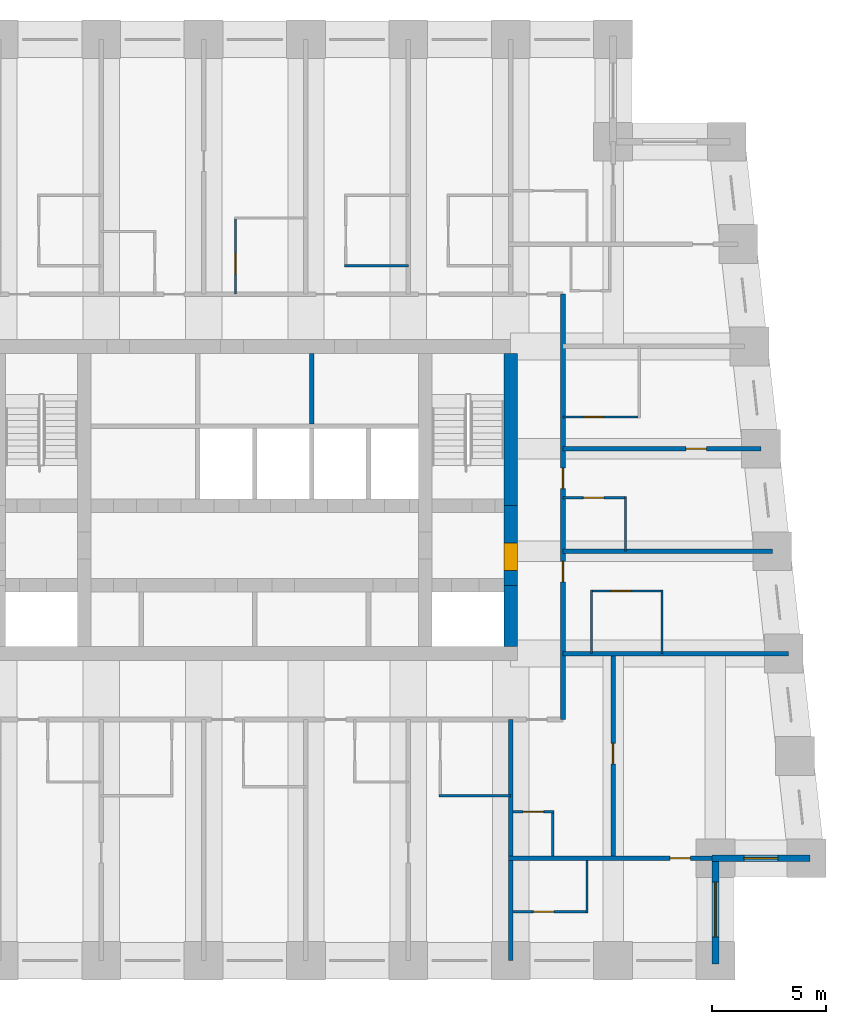
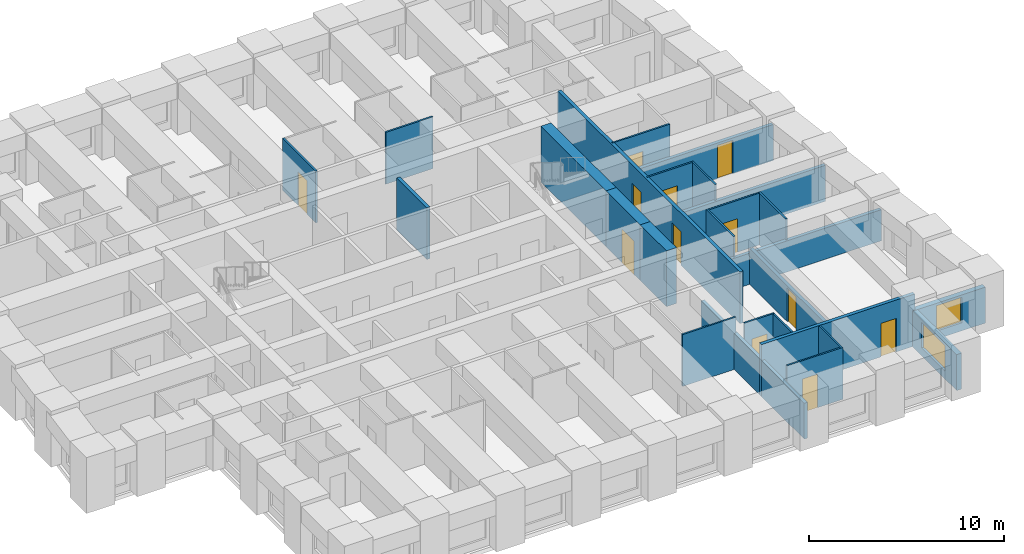
# One storey, part 5 of 8: 26 walls, 12 doors, 2 windows, 14 openings.
"""IFC4 building model written with IfcOpenShell, lengths in metres."""

from ifc_helpers import new_model, si_unit, direction, frame, frame_2d, origin, place, context, subcontext, project, spatial, rectangle, extrude, material, layer, layer_set, type_object, element, fill, save


model = new_model("IFC4")

# Units and contexts
model_context = context("Model", 3, precision=1e-05, world=origin(), true_north=direction((0.0, 1.0)))
body_context = subcontext(model_context, "Body", "Model", "MODEL_VIEW")
ifc_project = project(units=[si_unit("LENGTHUNIT", "METRE"), si_unit("AREAUNIT", "SQUARE_METRE"), si_unit("VOLUMEUNIT", "CUBIC_METRE"), si_unit("PLANEANGLEUNIT", "RADIAN"), si_unit("MASSUNIT", "GRAM", prefix="KILO")], contexts=[model_context])

# Site, building, storey
site_placement = place(None, origin())
site = spatial("IfcSite", under=ifc_project, at=site_placement, CompositionType="ELEMENT")
building_placement = place(site_placement, origin())
building = spatial("IfcBuilding", under=site, at=building_placement, Name="Kilele Tower Hotel", CompositionType="ELEMENT")
storey_placement = place(building_placement, frame((0.0, 0.0, 169.39990234375)))
storey = spatial("IfcBuildingStorey", under=building, at=storey_placement, Name="L43", CompositionType="ELEMENT", Elevation=169.39990234375)

# Walls
ifc_material_1 = material(Name="Moisture-resistant board")
ifc_layer_1 = layer(ifc_material_1, 0.10009765625)
ifc_layer_set_1 = layer_set([ifc_layer_1], Name="Moisture-resistant board")
wall_type_1 = type_object("IfcWallType", Name="Bathroom partition 100", PredefinedType="PLUMBINGWALL", material=ifc_layer_set_1)
wall_1_placement = place(storey_placement, frame((32.85009765625, 7.25, 0.0), z_axis=(0.0, 0.0, 1.0), x_axis=(1.0, 0.0, 0.0)))
element("IfcWall", 1, at=wall_1_placement, inside=storey, type_object=wall_type_1, Name="Bathroom partition 100 L43", PredefinedType="PLUMBINGWALL", context=body_context, shape_type="SweptSolid", body=[
    extrude(rectangle(XDim=3.14990234375, YDim=0.10009765625, at=frame_2d((1.574951171875, 0.0))), origin(), (0.0, 0.0, 1.0), 3.25),
])
for number, where, z_axis, x_axis, name in (
    (2, (39.550048828125, 13.5, 0.0), (0.0, 0.0, 1.0), (0.0, 1.0, 0.0), "Bathroom partition 100 L43"),
    (3, (42.64990234375, 13.5, 0.0), (0.0, 0.0, 1.0), (0.0, 1.0, 0.0), "Bathroom partition 100 L43"),
):
    element("IfcWall", number, at=place(storey_placement, frame(where, z_axis=z_axis, x_axis=x_axis)), inside=storey, type_object=wall_type_1, Name=name, PredefinedType="PLUMBINGWALL", context=body_context, shape_type="SweptSolid", body=[
        extrude(rectangle(XDim=2.800048828125, YDim=0.10009765625, at=frame_2d((1.39990234375, 0.0))), origin(), (0.0, 0.0, 1.0), 3.25),
    ])

# Wall, opening, door
wall_2_placement = place(storey_placement, frame((39.5, 16.25, 0.0), z_axis=(0.0, 0.0, 1.0), x_axis=(1.0, 0.0, 0.0)))
wall_2 = element("IfcWall", 4, at=wall_2_placement, inside=storey, type_object=wall_type_1, Name="Bathroom partition 100 L43", PredefinedType="PLUMBINGWALL", context=body_context, shape_type="SweptSolid", body=[
    extrude(rectangle(XDim=3.199951171875, YDim=0.10009765625, at=frame_2d((1.60009765625, 0.0))), origin(), (0.0, 0.0, 1.0), 3.25),
])
opening_1_placement = place(wall_2_placement, frame((0.89990234375, 0.0, 0.0)))
opening_1 = element("IfcOpeningElement", 5, at=opening_1_placement, cuts=wall_2, Name="Opening D2A", PredefinedType="OPENING", context=body_context, shape_type="SweptSolid", body=[
    extrude(rectangle(XDim=0.89990234375, YDim=2.10009765625, at=frame_2d((0.449951171875, 1.050048828125))), frame((0.0, 0.06005859375, 0.0), z_axis=(0.0, -1.0, 0.0), x_axis=(1.0, 0.0, 0.0)), (0.0, 0.0, 1.0), 0.1201171875),
])
ifc_material_2 = material(Name="Timber door leaf in hardwood frame", Category="wood")
door_type_1 = type_object("IfcDoorType", Name="Bathroom door 900", OperationType="SINGLE_SWING_LEFT", PredefinedType="DOOR", material=ifc_material_2)
door_1_placement = place(opening_1_placement, origin())
door_1 = element("IfcDoor", 6, at=door_1_placement, inside=storey, type_object=door_type_1, Name="Bathroom door 4306B", OperationType="SINGLE_SWING_LEFT", OverallHeight=2.10009765625, OverallWidth=0.89990234375, PredefinedType="DOOR", context=body_context, shape_type="SweptSolid", body=[
    extrude(rectangle(XDim=0.89990234375, YDim=2.10009765625, at=frame_2d((0.449951171875, 1.050048828125))), frame((0.0, 0.02490234375, 0.0), z_axis=(0.0, -1.0, 0.0), x_axis=(1.0, 0.0, 0.0)), (0.0, 0.0, 1.0), 0.050048828125),
])
fill(opening_1, door_1)

# Wall
wall_3_placement = place(storey_placement, frame((41.050048828125, 18.0, 0.0), z_axis=(0.0, 0.0, 1.0), x_axis=(0.0, 1.0, 0.0)))
element("IfcWall", 7, at=wall_3_placement, inside=storey, type_object=wall_type_1, Name="Bathroom partition 100 L43", PredefinedType="PLUMBINGWALL", context=body_context, shape_type="SweptSolid", body=[
    extrude(rectangle(XDim=2.39990234375, YDim=0.10009765625, at=frame_2d((1.199951171875, 0.0))), origin(), (0.0, 0.0, 1.0), 3.25),
])

# Wall, opening, door
wall_4_placement = place(storey_placement, frame((38.300048828125, 20.35009765625, 0.0), z_axis=(0.0, 0.0, 1.0), x_axis=(1.0, 0.0, 0.0)))
wall_4 = element("IfcWall", 8, at=wall_4_placement, inside=storey, type_object=wall_type_1, Name="Bathroom partition 100 L43", PredefinedType="PLUMBINGWALL", context=body_context, shape_type="SweptSolid", body=[
    extrude(rectangle(XDim=2.800048828125, YDim=0.10009765625, at=frame_2d((1.39990234375, 0.0))), origin(), (0.0, 0.0, 1.0), 3.25),
])
opening_2_placement = place(wall_4_placement, frame((0.89990234375, 0.0, 0.0)))
opening_2 = element("IfcOpeningElement", 9, at=opening_2_placement, cuts=wall_4, Name="Opening D2A", PredefinedType="OPENING", context=body_context, shape_type="SweptSolid", body=[
    extrude(rectangle(XDim=0.89990234375, YDim=2.10009765625, at=frame_2d((0.449951171875, 1.050048828125))), frame((0.0, 0.06005859375, 0.0), z_axis=(0.0, -1.0, 0.0), x_axis=(1.0, 0.0, 0.0)), (0.0, 0.0, 1.0), 0.1201171875),
])
door_2_placement = place(opening_2_placement, origin())
door_2 = element("IfcDoor", 10, at=door_2_placement, inside=storey, type_object=door_type_1, Name="Bathroom door 4307B", OperationType="SINGLE_SWING_LEFT", OverallHeight=2.10009765625, OverallWidth=0.89990234375, PredefinedType="DOOR", context=body_context, shape_type="SweptSolid", body=[
    extrude(rectangle(XDim=0.89990234375, YDim=2.10009765625, at=frame_2d((0.449951171875, 1.050048828125))), frame((0.0, 0.02490234375, 0.0), z_axis=(0.0, -1.0, 0.0), x_axis=(1.0, 0.0, 0.0)), (0.0, 0.0, 1.0), 0.050048828125),
])
fill(opening_2, door_2)

wall_5_placement = place(storey_placement, frame((38.300048828125, 23.89990234375, 0.0), z_axis=(0.0, 0.0, 1.0), x_axis=(1.0, 0.0, 0.0)))
wall_5 = element("IfcWall", 11, at=wall_5_placement, inside=storey, type_object=wall_type_1, Name="Bathroom partition 100 L43", PredefinedType="PLUMBINGWALL", context=body_context, shape_type="SweptSolid", body=[
    extrude(rectangle(XDim=3.39990234375, YDim=0.10009765625, at=frame_2d((1.699951171875, 0.0))), origin(), (0.0, 0.0, 1.0), 3.25),
])
opening_3_placement = place(wall_5_placement, frame((1.7998046875, 0.0, 0.0), z_axis=(0.0, 0.0, 1.0), x_axis=(-1.0, 0.0, 0.0)))
opening_3 = element("IfcOpeningElement", 12, at=opening_3_placement, cuts=wall_5, Name="Opening D2A", PredefinedType="OPENING", context=body_context, shape_type="SweptSolid", body=[
    extrude(rectangle(XDim=0.89990234375, YDim=2.10009765625, at=frame_2d((0.449951171875, 1.050048828125))), frame((0.0, 0.06005859375, 0.0), z_axis=(0.0, -1.0, 0.0), x_axis=(1.0, 0.0, 0.0)), (0.0, 0.0, 1.0), 0.1201171875),
])
door_3_placement = place(opening_3_placement, origin())
door_3 = element("IfcDoor", 13, at=door_3_placement, inside=storey, type_object=door_type_1, Name="Bathroom door 4308B", OperationType="SINGLE_SWING_RIGHT", OverallHeight=2.10009765625, OverallWidth=0.89990234375, PredefinedType="DOOR", context=body_context, shape_type="SweptSolid", body=[
    extrude(rectangle(XDim=0.89990234375, YDim=2.10009765625, at=frame_2d((0.449951171875, 1.050048828125))), frame((0.0, 0.02490234375, 0.0), z_axis=(0.0, -1.0, 0.0), x_axis=(1.0, 0.0, 0.0)), (0.0, 0.0, 1.0), 0.050048828125),
])
fill(opening_3, door_3)

wall_6_placement = place(storey_placement, frame((23.89990234375, 29.300048828125, 0.0), z_axis=(0.0, 0.0, 1.0), x_axis=(0.0, 1.0, 0.0)))
wall_6 = element("IfcWall", 14, at=wall_6_placement, inside=storey, type_object=wall_type_1, Name="Bathroom partition 100 L43", PredefinedType="PLUMBINGWALL", context=body_context, shape_type="SweptSolid", body=[
    extrude(rectangle(XDim=3.39990234375, YDim=0.10009765625, at=frame_2d((1.699951171875, 0.0))), origin(), (0.0, 0.0, 1.0), 3.25),
])
opening_4_placement = place(wall_6_placement, frame((0.89990234375, 0.0, 0.0)))
opening_4 = element("IfcOpeningElement", 15, at=opening_4_placement, cuts=wall_6, Name="Opening D2A", PredefinedType="OPENING", context=body_context, shape_type="SweptSolid", body=[
    extrude(rectangle(XDim=0.89990234375, YDim=2.10009765625, at=frame_2d((0.449951171875, 1.050048828125))), frame((0.0, 0.06005859375, 0.0), z_axis=(0.0, -1.0, 0.0), x_axis=(1.0, 0.0, 0.0)), (0.0, 0.0, 1.0), 0.1201171875),
])
door_4_placement = place(opening_4_placement, origin())
door_4 = element("IfcDoor", 16, at=door_4_placement, inside=storey, type_object=door_type_1, Name="Bathroom door 4311B", OperationType="SINGLE_SWING_LEFT", OverallHeight=2.10009765625, OverallWidth=0.89990234375, PredefinedType="DOOR", context=body_context, shape_type="SweptSolid", body=[
    extrude(rectangle(XDim=0.89990234375, YDim=2.10009765625, at=frame_2d((0.449951171875, 1.050048828125))), frame((0.0, 0.02490234375, 0.0), z_axis=(0.0, -1.0, 0.0), x_axis=(1.0, 0.0, 0.0)), (0.0, 0.0, 1.0), 0.050048828125),
])
fill(opening_4, door_4)

# Walls
wall_7_placement = place(storey_placement, frame((28.699951171875, 30.550048828125, 0.0), z_axis=(0.0, 0.0, 1.0), x_axis=(1.0, 0.0, 0.0)))
element("IfcWall", 17, at=wall_7_placement, inside=storey, type_object=wall_type_1, Name="Bathroom partition 100 L43", PredefinedType="PLUMBINGWALL", context=body_context, shape_type="SweptSolid", body=[
    extrude(rectangle(XDim=2.800048828125, YDim=0.10009765625, at=frame_2d((1.39990234375, 0.0))), origin(), (0.0, 0.0, 1.0), 3.25),
])
wall_8_placement = place(storey_placement, frame((37.85009765625, 4.60009765625, 0.0), z_axis=(0.0, 0.0, 1.0), x_axis=(0.0, 1.0, 0.0)))
element("IfcWall", 18, at=wall_8_placement, inside=storey, type_object=wall_type_1, Name="Bathroom partition 100 L43", PredefinedType="PLUMBINGWALL", context=body_context, shape_type="SweptSolid", body=[
    extrude(rectangle(XDim=2.0, YDim=0.10009765625, at=frame_2d((1.0, 0.0))), origin(), (0.0, 0.0, 1.0), 3.25),
])

# Wall, opening, door
wall_9_placement = place(storey_placement, frame((36.10009765625, 6.550048828125, 0.0), z_axis=(0.0, 0.0, 1.0), x_axis=(1.0, 0.0, 0.0)))
wall_9 = element("IfcWall", 19, at=wall_9_placement, inside=storey, type_object=wall_type_1, Name="Bathroom partition 100 L43", PredefinedType="PLUMBINGWALL", context=body_context, shape_type="SweptSolid", body=[
    extrude(rectangle(XDim=1.7998046875, YDim=0.10009765625, at=frame_2d((0.89990234375, 0.0))), origin(), (0.0, 0.0, 1.0), 3.25),
])
opening_5_placement = place(wall_9_placement, frame((0.449951171875, 0.0, 0.0)))
opening_5 = element("IfcOpeningElement", 20, at=opening_5_placement, cuts=wall_9, Name="Opening D2A", PredefinedType="OPENING", context=body_context, shape_type="SweptSolid", body=[
    extrude(rectangle(XDim=0.89990234375, YDim=2.10009765625, at=frame_2d((0.449951171875, 1.050048828125))), frame((0.0, 0.06005859375, 0.0), z_axis=(0.0, -1.0, 0.0), x_axis=(1.0, 0.0, 0.0)), (0.0, 0.0, 1.0), 0.1201171875),
])
door_5_placement = place(opening_5_placement, origin())
door_5 = element("IfcDoor", 21, at=door_5_placement, inside=storey, type_object=door_type_1, Name="Bathroom door 4319P", OperationType="SINGLE_SWING_LEFT", OverallHeight=2.10009765625, OverallWidth=0.89990234375, PredefinedType="DOOR", context=body_context, shape_type="SweptSolid", body=[
    extrude(rectangle(XDim=0.89990234375, YDim=2.10009765625, at=frame_2d((0.449951171875, 1.050048828125))), frame((0.0, 0.02490234375, 0.0), z_axis=(0.0, -1.0, 0.0), x_axis=(1.0, 0.0, 0.0)), (0.0, 0.0, 1.0), 0.050048828125),
])
fill(opening_5, door_5)

# Wall
wall_10_placement = place(storey_placement, frame((39.35009765625, 4.39990234375, 0.0), z_axis=(0.0, 0.0, 1.0), x_axis=(0.0, -1.0, 0.0)))
element("IfcWall", 22, at=wall_10_placement, inside=storey, type_object=wall_type_1, Name="Bathroom partition 100 L43", PredefinedType="PLUMBINGWALL", context=body_context, shape_type="SweptSolid", body=[
    extrude(rectangle(XDim=2.2998046875, YDim=0.10009765625, at=frame_2d((1.14990234375, 0.0))), origin(), (0.0, 0.0, 1.0), 3.25),
])

# Wall, opening, door
wall_11_placement = place(storey_placement, frame((36.10009765625, 2.14990234375, 0.0), z_axis=(0.0, 0.0, 1.0), x_axis=(1.0, 0.0, 0.0)))
wall_11 = element("IfcWall", 23, at=wall_11_placement, inside=storey, type_object=wall_type_1, Name="Bathroom partition 100 L43", PredefinedType="PLUMBINGWALL", context=body_context, shape_type="SweptSolid", body=[
    extrude(rectangle(XDim=3.2998046875, YDim=0.10009765625, at=frame_2d((1.64990234375, 0.0))), origin(), (0.0, 0.0, 1.0), 3.25),
])
opening_6_placement = place(wall_11_placement, frame((1.7998046875, 0.0, 0.0), z_axis=(0.0, 0.0, 1.0), x_axis=(-1.0, 0.0, 0.0)))
opening_6 = element("IfcOpeningElement", 24, at=opening_6_placement, cuts=wall_11, Name="Opening D2A", PredefinedType="OPENING", context=body_context, shape_type="SweptSolid", body=[
    extrude(rectangle(XDim=0.89990234375, YDim=2.10009765625, at=frame_2d((0.449951171875, 1.050048828125))), frame((0.0, 0.06005859375, 0.0), z_axis=(0.0, -1.0, 0.0), x_axis=(1.0, 0.0, 0.0)), (0.0, 0.0, 1.0), 0.1201171875),
])
door_6_placement = place(opening_6_placement, origin())
door_6 = element("IfcDoor", 25, at=door_6_placement, inside=storey, type_object=door_type_1, Name="Bathroom door 4321B", OperationType="SINGLE_SWING_RIGHT", OverallHeight=2.10009765625, OverallWidth=0.89990234375, PredefinedType="DOOR", context=body_context, shape_type="SweptSolid", body=[
    extrude(rectangle(XDim=0.89990234375, YDim=2.10009765625, at=frame_2d((0.449951171875, 1.050048828125))), frame((0.0, 0.02490234375, 0.0), z_axis=(0.0, -1.0, 0.0), x_axis=(1.0, 0.0, 0.0)), (0.0, 0.0, 1.0), 0.050048828125),
])
fill(opening_6, door_6)

# Wall
ifc_material_3 = material(Name="Concrete C70/85", Category="concrete")
ifc_layer_2 = layer(ifc_material_3, 0.60009765625)
ifc_layer_set_2 = layer_set([ifc_layer_2], Name="Concrete C70/85")
wall_type_2 = type_object("IfcWallType", Name="Core wall 600 C70/85", PredefinedType="SHEAR", material=ifc_layer_set_2)
wall_12_placement = place(storey_placement, frame((36.0, 13.800048828125, 0.0), z_axis=(0.0, 0.0, 1.0), x_axis=(0.0, 1.0, 0.0)))
element("IfcWall", 26, at=wall_12_placement, inside=storey, type_object=wall_type_2, Name="Core wall E1 L43", PredefinedType="SHEAR", context=body_context, shape_type="SweptSolid", body=[
    extrude(rectangle(XDim=2.699951171875, YDim=0.60009765625, at=frame_2d((1.35009765625, 0.0))), origin(), (0.0, 0.0, 1.0), 3.5),
])

# Wall, opening, door
wall_13_placement = place(storey_placement, frame((36.0, 16.5, 0.0), z_axis=(0.0, 0.0, 1.0), x_axis=(0.0, 1.0, 0.0)))
wall_13 = element("IfcWall", 27, at=wall_13_placement, inside=storey, type_object=wall_type_2, Name="Core wall E2 L43", PredefinedType="SHEAR", context=body_context, shape_type="SweptSolid", body=[
    extrude(rectangle(XDim=3.5, YDim=0.60009765625, at=frame_2d((1.75, 0.0))), origin(), (0.0, 0.0, 1.0), 3.5),
])
opening_7_placement = place(wall_13_placement, frame((0.64990234375, 0.0, 0.0)))
opening_7 = element("IfcOpeningElement", 28, at=opening_7_placement, cuts=wall_13, Name="Opening D4", PredefinedType="OPENING", context=body_context, shape_type="SweptSolid", body=[
    extrude(rectangle(XDim=1.199951171875, YDim=2.10009765625, at=frame_2d((0.60009765625, 1.050048828125))), frame((0.0, 0.31005859375, 0.0), z_axis=(0.0, -1.0, 0.0), x_axis=(1.0, 0.0, 0.0)), (0.0, 0.0, 1.0), 0.6201171875),
])
ifc_material_4 = material(Name="Timber door leaf in hardwood frame", Category="wood")
door_type_2 = type_object("IfcDoorType", Name="Firefighting lobby door 1200", OperationType="SINGLE_SWING_LEFT", PredefinedType="DOOR", material=ifc_material_4)
door_7_placement = place(opening_7_placement, origin())
door_7 = element("IfcDoor", 29, at=door_7_placement, inside=storey, type_object=door_type_2, Name="Lobby door L43", OperationType="SINGLE_SWING_LEFT", OverallHeight=2.10009765625, OverallWidth=1.199951171875, PredefinedType="DOOR", context=body_context, shape_type="SweptSolid", body=[
    extrude(rectangle(XDim=1.199951171875, YDim=2.10009765625, at=frame_2d((0.60009765625, 1.050048828125))), frame((0.0, 0.2998046875, 0.0), z_axis=(0.0, -1.0, 0.0), x_axis=(1.0, 0.0, 0.0)), (0.0, 0.0, 1.0), 0.599609375),
])
fill(opening_7, door_7)

# Wall
wall_14_placement = place(storey_placement, frame((36.0, 20.0, 0.0), z_axis=(0.0, 0.0, 1.0), x_axis=(0.0, 1.0, 0.0)))
element("IfcWall", 30, at=wall_14_placement, inside=storey, type_object=wall_type_2, Name="Core wall E3 L43", PredefinedType="SHEAR", context=body_context, shape_type="SweptSolid", body=[
    extrude(rectangle(XDim=6.699951171875, YDim=0.60009765625, at=frame_2d((3.35009765625, 0.0))), origin(), (0.0, 0.0, 1.0), 3.5),
])

# Wall, openings, doors
ifc_material_5 = material(Name="Blockwork, plastered both sides", Category="masonry")
ifc_layer_3 = layer(ifc_material_5, 0.199951171875)
ifc_layer_set_3 = layer_set([ifc_layer_3], Name="Blockwork, plastered both sides")
wall_type_3 = type_object("IfcWallType", Name="Corridor wall 200", PredefinedType="PARTITIONING", material=ifc_layer_set_3)
wall_15_placement = place(storey_placement, frame((38.300048828125, 10.60009765625, 0.0), z_axis=(0.0, 0.0, 1.0), x_axis=(0.0, 1.0, 0.0)))
wall_15 = element("IfcWall", 31, at=wall_15_placement, inside=storey, type_object=wall_type_3, Name="Corridor wall 200 L43", PredefinedType="PARTITIONING", context=body_context, shape_type="SweptSolid", body=[
    extrude(rectangle(XDim=18.699951171875, YDim=0.199951171875, at=frame_2d((9.35009765625, 0.0))), origin(), (0.0, 0.0, 1.0), 3.25),
])
opening_8_placement = place(wall_15_placement, frame((6.949951171875, 0.0, 0.0), z_axis=(0.0, 0.0, 1.0), x_axis=(-1.0, 0.0, 0.0)))
opening_8 = element("IfcOpeningElement", 32, at=opening_8_placement, cuts=wall_15, Name="Opening D1", PredefinedType="OPENING", context=body_context, shape_type="SweptSolid", body=[
    extrude(rectangle(XDim=0.89990234375, YDim=2.10009765625, at=frame_2d((0.449951171875, 1.050048828125))), frame((0.0, 0.10986328125, 0.0), z_axis=(0.0, -1.0, 0.0), x_axis=(1.0, 0.0, 0.0)), (0.0, 0.0, 1.0), 0.219970703125),
])
opening_9_placement = place(wall_15_placement, frame((11.0498046875, 0.0, 0.0), z_axis=(0.0, 0.0, 1.0), x_axis=(-1.0, 0.0, 0.0)))
opening_9 = element("IfcOpeningElement", 33, at=opening_9_placement, cuts=wall_15, Name="Opening D1", PredefinedType="OPENING", context=body_context, shape_type="SweptSolid", body=[
    extrude(rectangle(XDim=0.89990234375, YDim=2.10009765625, at=frame_2d((0.449951171875, 1.050048828125))), frame((0.0, 0.10986328125, 0.0), z_axis=(0.0, -1.0, 0.0), x_axis=(1.0, 0.0, 0.0)), (0.0, 0.0, 1.0), 0.219970703125),
])
ifc_material_6 = material(Name="Timber door leaf in hardwood frame", Category="wood")
door_type_3 = type_object("IfcDoorType", Name="Guest room entrance door 900", OperationType="SINGLE_SWING_LEFT", PredefinedType="DOOR", material=ifc_material_6)
door_8_placement = place(opening_8_placement, origin())
door_8 = element("IfcDoor", 34, at=door_8_placement, inside=storey, type_object=door_type_3, Name="Room entrance 4306", OperationType="SINGLE_SWING_LEFT", OverallHeight=2.10009765625, OverallWidth=0.89990234375, PredefinedType="DOOR", context=body_context, shape_type="SweptSolid", body=[
    extrude(rectangle(XDim=0.89990234375, YDim=2.10009765625, at=frame_2d((0.449951171875, 1.050048828125))), frame((0.0, 0.02490234375, 0.0), z_axis=(0.0, -1.0, 0.0), x_axis=(1.0, 0.0, 0.0)), (0.0, 0.0, 1.0), 0.050048828125),
])
fill(opening_8, door_8)
door_9_placement = place(opening_9_placement, origin())
door_9 = element("IfcDoor", 35, at=door_9_placement, inside=storey, type_object=door_type_3, Name="Room entrance 4307", OperationType="SINGLE_SWING_RIGHT", OverallHeight=2.10009765625, OverallWidth=0.89990234375, PredefinedType="DOOR", context=body_context, shape_type="SweptSolid", body=[
    extrude(rectangle(XDim=0.89990234375, YDim=2.10009765625, at=frame_2d((0.449951171875, 1.050048828125))), frame((0.0, 0.02490234375, 0.0), z_axis=(0.0, -1.0, 0.0), x_axis=(1.0, 0.0, 0.0)), (0.0, 0.0, 1.0), 0.050048828125),
])
fill(opening_9, door_9)

# Wall, opening, door
ifc_material_7 = material(Name="Blockwork, plastered both sides", Category="masonry")
ifc_layer_4 = layer(ifc_material_7, 0.199951171875)
ifc_layer_set_4 = layer_set([ifc_layer_4], Name="Blockwork, plastered both sides")
wall_type_4 = type_object("IfcWallType", Name="Partition wall 200", PredefinedType="PARTITIONING", material=ifc_layer_set_4)
wall_16_placement = place(storey_placement, frame((40.5, 4.60009765625, 0.0), z_axis=(0.0, 0.0, 1.0), x_axis=(0.0, 1.0, 0.0)))
wall_16 = element("IfcWall", 36, at=wall_16_placement, inside=storey, type_object=wall_type_4, Name="Partition wall 200 L43", PredefinedType="PARTITIONING", context=body_context, shape_type="SweptSolid", body=[
    extrude(rectangle(XDim=8.7998046875, YDim=0.199951171875, at=frame_2d((4.39990234375, 0.0))), origin(), (0.0, 0.0, 1.0), 2.25),
])
opening_10_placement = place(wall_16_placement, frame((4.050048828125, 0.0, 0.0)))
opening_10 = element("IfcOpeningElement", 37, at=opening_10_placement, cuts=wall_16, Name="Opening D3", PredefinedType="OPENING", context=body_context, shape_type="SweptSolid", body=[
    extrude(rectangle(XDim=0.89990234375, YDim=2.10009765625, at=frame_2d((0.449951171875, 1.050048828125))), frame((0.0, 0.10986328125, 0.0), z_axis=(0.0, -1.0, 0.0), x_axis=(1.0, 0.0, 0.0)), (0.0, 0.0, 1.0), 0.219970703125),
])
ifc_material_8 = material(Name="Timber door leaf in hardwood frame", Category="wood")
door_type_4 = type_object("IfcDoorType", Name="Suite internal door 900", OperationType="SINGLE_SWING_LEFT", PredefinedType="DOOR", material=ifc_material_8)
door_10_placement = place(opening_10_placement, origin())
door_10 = element("IfcDoor", 38, at=door_10_placement, inside=storey, type_object=door_type_4, Name="Suite door 4320", OperationType="SINGLE_SWING_RIGHT", OverallHeight=2.10009765625, OverallWidth=0.89990234375, PredefinedType="DOOR", context=body_context, shape_type="SweptSolid", body=[
    extrude(rectangle(XDim=0.89990234375, YDim=2.10009765625, at=frame_2d((0.449951171875, 1.050048828125))), frame((0.0, 0.02490234375, 0.0), z_axis=(0.0, -1.0, 0.0), x_axis=(1.0, 0.0, 0.0)), (0.0, 0.0, 1.0), 0.050048828125),
])
fill(opening_10, door_10)

# Wall
ifc_material_9 = material(Name="Blockwork, plastered both sides", Category="masonry")
ifc_layer_5 = layer(ifc_material_9, 0.199951171875)
ifc_layer_set_5 = layer_set([ifc_layer_5], Name="Blockwork, plastered both sides")
wall_type_5 = type_object("IfcWallType", Name="Party wall 200", PredefinedType="PARTITIONING", material=ifc_layer_set_5)
wall_17_placement = place(storey_placement, frame((38.300048828125, 18.0, 0.0), z_axis=(0.0, 0.0, 1.0), x_axis=(1.0, 0.0, 0.0)))
element("IfcWall", 39, at=wall_17_placement, inside=storey, type_object=wall_type_5, Name="Party wall 200 L43", PredefinedType="PARTITIONING", context=body_context, shape_type="SweptSolid", body=[
    extrude(rectangle(XDim=9.198974609375, YDim=0.199951171875, at=frame_2d((4.599609375, 0.0))), origin(), (0.0, 0.0, 1.0), 2.25),
])

# Wall, opening, door
wall_18_placement = place(storey_placement, frame((38.300048828125, 22.5, 0.0), z_axis=(0.0, 0.0, 1.0), x_axis=(1.0, 0.0, 0.0)))
wall_18 = element("IfcWall", 40, at=wall_18_placement, inside=storey, type_object=wall_type_5, Name="Party wall 200 L43", PredefinedType="PARTITIONING", context=body_context, shape_type="SweptSolid", body=[
    extrude(rectangle(XDim=8.698974609375, YDim=0.199951171875, at=frame_2d((4.349609375, 0.0))), origin(), (0.0, 0.0, 1.0), 2.25),
])
opening_11_placement = place(wall_18_placement, frame((5.39990234375, 0.0, 0.0)))
opening_11 = element("IfcOpeningElement", 41, at=opening_11_placement, cuts=wall_18, Name="Opening D3", PredefinedType="OPENING", context=body_context, shape_type="SweptSolid", body=[
    extrude(rectangle(XDim=0.89990234375, YDim=2.10009765625, at=frame_2d((0.449951171875, 1.050048828125))), frame((0.0, 0.10986328125, 0.0), z_axis=(0.0, -1.0, 0.0), x_axis=(1.0, 0.0, 0.0)), (0.0, 0.0, 1.0), 0.219970703125),
])
door_11_placement = place(opening_11_placement, origin())
door_11 = element("IfcDoor", 42, at=door_11_placement, inside=storey, type_object=door_type_4, Name="Suite door 4308", OperationType="SINGLE_SWING_RIGHT", OverallHeight=2.10009765625, OverallWidth=0.89990234375, PredefinedType="DOOR", context=body_context, shape_type="SweptSolid", body=[
    extrude(rectangle(XDim=0.89990234375, YDim=2.10009765625, at=frame_2d((0.449951171875, 1.050048828125))), frame((0.0, 0.02490234375, 0.0), z_axis=(0.0, -1.0, 0.0), x_axis=(1.0, 0.0, 0.0)), (0.0, 0.0, 1.0), 0.050048828125),
])
fill(opening_11, door_11)

# Walls
wall_19_placement = place(storey_placement, frame((38.300048828125, 13.5, 0.0), z_axis=(0.0, 0.0, 1.0), x_axis=(1.0, 0.0, 0.0)))
element("IfcWall", 43, at=wall_19_placement, inside=storey, type_object=wall_type_5, Name="Party wall 200 L43", PredefinedType="PARTITIONING", context=body_context, shape_type="SweptSolid", body=[
    extrude(rectangle(XDim=9.921142578125, YDim=0.199951171875, at=frame_2d((4.96044921875, 0.0))), origin(), (0.0, 0.0, 1.0), 1.9501953125),
])
wall_20_placement = place(storey_placement, frame((36.0, 10.60009765625, 0.0), z_axis=(0.0, 0.0, 1.0), x_axis=(0.0, -1.0, 0.0)))
element("IfcWall", 44, at=wall_20_placement, inside=storey, type_object=wall_type_5, Name="Party wall 200 L43", PredefinedType="PARTITIONING", context=body_context, shape_type="SweptSolid", body=[
    extrude(rectangle(XDim=10.60009765625, YDim=0.199951171875, at=frame_2d((5.300048828125, 0.0))), origin(), (0.0, 0.0, 1.0), 2.25),
])

# Wall, opening, door
wall_21_placement = place(storey_placement, frame((35.89990234375, 4.5, 0.0), z_axis=(0.0, 0.0, 1.0), x_axis=(1.0, 0.0, 0.0)))
wall_21 = element("IfcWall", 45, at=wall_21_placement, inside=storey, type_object=wall_type_5, Name="Party wall 200 L43", PredefinedType="PARTITIONING", context=body_context, shape_type="SweptSolid", body=[
    extrude(rectangle(XDim=9.10009765625, YDim=0.199951171875, at=frame_2d((4.550048828125, 0.0))), origin(), (0.0, 0.0, 1.0), 3.25),
])
opening_12_placement = place(wall_21_placement, frame((7.10009765625, 0.0, 0.0)))
opening_12 = element("IfcOpeningElement", 46, at=opening_12_placement, cuts=wall_21, Name="Opening D3", PredefinedType="OPENING", context=body_context, shape_type="SweptSolid", body=[
    extrude(rectangle(XDim=0.89990234375, YDim=2.10009765625, at=frame_2d((0.449951171875, 1.050048828125))), frame((0.0, 0.10986328125, 0.0), z_axis=(0.0, -1.0, 0.0), x_axis=(1.0, 0.0, 0.0)), (0.0, 0.0, 1.0), 0.219970703125),
])
door_12_placement = place(opening_12_placement, origin())
door_12 = element("IfcDoor", 47, at=door_12_placement, inside=storey, type_object=door_type_4, Name="Suite door 4321", OperationType="SINGLE_SWING_RIGHT", OverallHeight=2.10009765625, OverallWidth=0.89990234375, PredefinedType="DOOR", context=body_context, shape_type="SweptSolid", body=[
    extrude(rectangle(XDim=0.89990234375, YDim=2.10009765625, at=frame_2d((0.449951171875, 1.050048828125))), frame((0.0, 0.02490234375, 0.0), z_axis=(0.0, -1.0, 0.0), x_axis=(1.0, 0.0, 0.0)), (0.0, 0.0, 1.0), 0.050048828125),
])
fill(opening_12, door_12)

# Wall, opening, window
ifc_material_10 = material(Name="Concrete C40/50 precast", Category="concrete")
ifc_layer_6 = layer(ifc_material_10, 0.260009765625, Name="Precast backing", Category="LoadBearing")
ifc_material_11 = material(Name="Reconstituted stone finish", Category="masonry")
ifc_layer_7 = layer(ifc_material_11, 0.0400390625, Name="Face mix", Category="Finish")
ifc_layer_set_6 = layer_set([ifc_layer_6, ifc_layer_7], Name="Precast concrete C40/50, reconstituted stone finish")
wall_type_6 = type_object("IfcWallType", Name="Precast stone facade wall 300", PredefinedType="STANDARD", material=ifc_layer_set_6)
wall_22_placement = place(storey_placement, frame((45.0, -0.14990234375, 0.0), z_axis=(0.0, 0.0, 1.0), x_axis=(0.0, 1.0, 0.0)))
wall_22 = element("IfcWall", 48, at=wall_22_placement, inside=storey, type_object=wall_type_6, Name="Facade wall L43 edge 4", PredefinedType="STANDARD", context=body_context, shape_type="SweptSolid", body=[
    extrude(rectangle(XDim=4.7998046875, YDim=0.300048828125, at=frame_2d((2.39990234375, 0.0))), origin(), (0.0, 0.0, 1.0), 2.25),
])
opening_13_placement = place(wall_22_placement, frame((1.199951171875, 0.0, 0.5)))
opening_13 = element("IfcOpeningElement", 49, at=opening_13_placement, cuts=wall_22, Name="Opening W3", PredefinedType="OPENING", context=body_context, shape_type="SweptSolid", body=[
    extrude(rectangle(XDim=2.39990234375, YDim=1.60009765625, at=frame_2d((1.199951171875, 0.800048828125))), frame((0.0, 0.159912109375, 0.0), z_axis=(0.0, -1.0, 0.0), x_axis=(1.0, 0.0, 0.0)), (0.0, 0.0, 1.0), 0.320068359375),
])
ifc_material_12 = material(Name="Aluminium frame, clear double glazing", Category="aluminium")
window_type_1 = type_object("IfcWindowType", Name="Window W3 2400 x 1600", PartitioningType="SINGLE_PANEL", PredefinedType="WINDOW", material=ifc_material_12)
window_1_placement = place(opening_13_placement, origin())
window_1 = element("IfcWindow", 50, at=window_1_placement, inside=storey, type_object=window_type_1, Name="Window L43", OverallHeight=1.60009765625, OverallWidth=2.39990234375, PartitioningType="SINGLE_PANEL", PredefinedType="WINDOW", context=body_context, shape_type="SweptSolid", body=[
    extrude(rectangle(XDim=2.39990234375, YDim=1.60009765625, at=frame_2d((1.199951171875, 0.800048828125))), frame((0.0, 0.030029296875, 0.0), z_axis=(0.0, -1.0, 0.0), x_axis=(1.0, 0.0, 0.0)), (0.0, 0.0, 1.0), 0.06005859375),
])
fill(opening_13, window_1)

wall_23_placement = place(storey_placement, frame((44.85009765625, 4.5, 0.0), z_axis=(0.0, 0.0, 1.0), x_axis=(1.0, 0.0, 0.0)))
wall_23 = element("IfcWall", 51, at=wall_23_placement, inside=storey, type_object=wall_type_6, Name="Facade wall L43 edge 5", PredefinedType="STANDARD", context=body_context, shape_type="SweptSolid", body=[
    extrude(rectangle(XDim=4.2998046875, YDim=0.300048828125, at=frame_2d((2.14990234375, 0.0))), origin(), (0.0, 0.0, 1.0), 2.25),
])
opening_14_placement = place(wall_23_placement, frame((1.39990234375, 0.0, 0.5)))
opening_14 = element("IfcOpeningElement", 52, at=opening_14_placement, cuts=wall_23, Name="Opening W3", PredefinedType="OPENING", context=body_context, shape_type="SweptSolid", body=[
    extrude(rectangle(XDim=1.5, YDim=1.60009765625, at=frame_2d((0.75, 0.800048828125))), frame((0.0, 0.159912109375, 0.0), z_axis=(0.0, -1.0, 0.0), x_axis=(1.0, 0.0, 0.0)), (0.0, 0.0, 1.0), 0.320068359375),
])
ifc_material_13 = material(Name="Aluminium frame, clear double glazing", Category="aluminium")
window_type_2 = type_object("IfcWindowType", Name="Window W3 1500 x 1600", PartitioningType="SINGLE_PANEL", PredefinedType="WINDOW", material=ifc_material_13)
window_2_placement = place(opening_14_placement, origin())
window_2 = element("IfcWindow", 53, at=window_2_placement, inside=storey, type_object=window_type_2, Name="Window L43", OverallHeight=1.60009765625, OverallWidth=1.5, PartitioningType="SINGLE_PANEL", PredefinedType="WINDOW", context=body_context, shape_type="SweptSolid", body=[
    extrude(rectangle(XDim=1.5, YDim=1.60009765625, at=frame_2d((0.75, 0.800048828125))), frame((0.0, 0.030029296875, 0.0), z_axis=(0.0, -1.0, 0.0), x_axis=(1.0, 0.0, 0.0)), (0.0, 0.0, 1.0), 0.06005859375),
])
fill(opening_14, window_2)

# Wall
ifc_material_14 = material(Name="Blockwork, fire-rated", Category="masonry")
ifc_layer_8 = layer(ifc_material_14, 0.199951171875)
ifc_layer_set_7 = layer_set([ifc_layer_8], Name="Blockwork, fire-rated")
wall_type_7 = type_object("IfcWallType", Name="Shaft wall 200", PredefinedType="PARTITIONING", material=ifc_layer_set_7)
wall_24_placement = place(storey_placement, frame((27.25, 23.60009765625, 0.0), z_axis=(0.0, 0.0, 1.0), x_axis=(0.0, 1.0, 0.0)))
element("IfcWall", 54, at=wall_24_placement, inside=storey, type_object=wall_type_7, Name="Shaft wall 200 L43", PredefinedType="PARTITIONING", context=body_context, shape_type="SweptSolid", body=[
    extrude(rectangle(XDim=3.099853515625, YDim=0.199951171875, at=frame_2d((1.5498046875, 0.0))), origin(), (0.0, 0.0, 1.0), 3.25),
])

save(model, "model.ifc")
